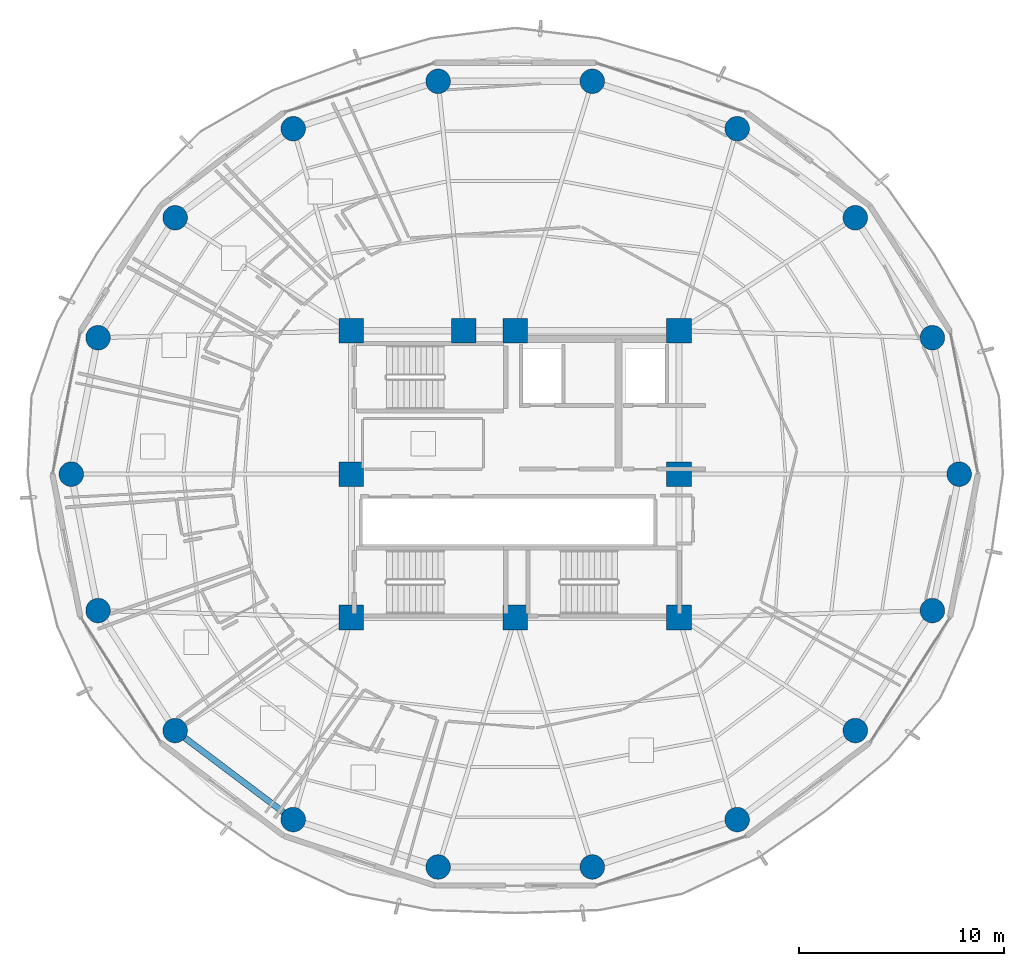
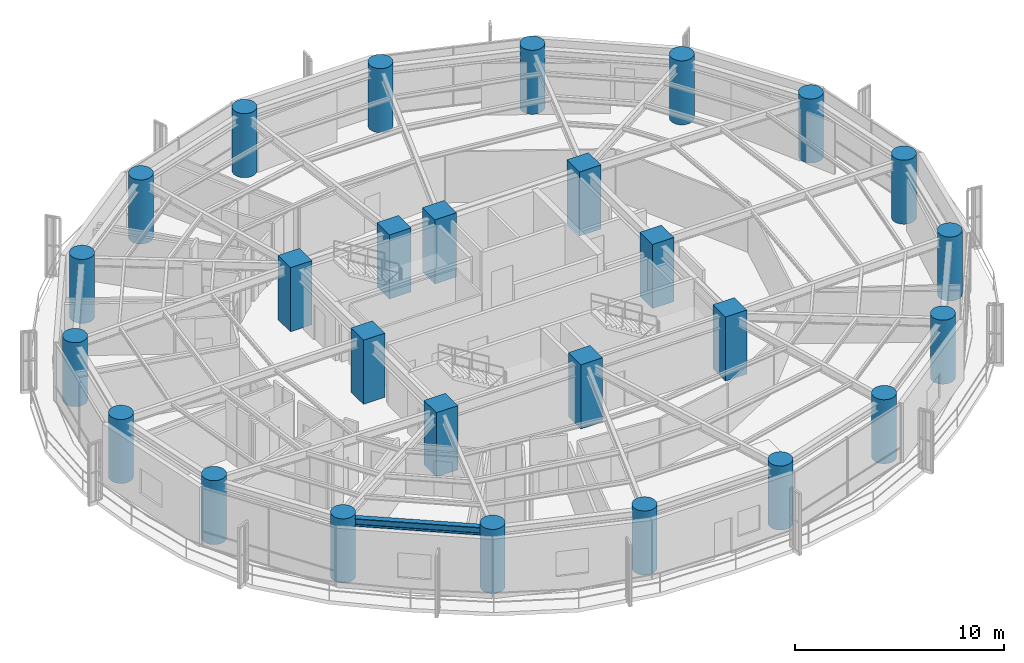
# One storey, part 1 of 27: 27 columns, 1 beam.
"""IFC4 building model written with IfcOpenShell, lengths in metres."""

from ifc_helpers import new_model, si_unit, direction, frame, origin, origin_2d, place, context, subcontext, project, spatial, rectangle, circle, i_section, extrude, material, material_profile, profile_set, type_object, element, save


model = new_model("IFC4")

# Units and contexts
model_context = context("Model", 3, precision=1e-05, world=origin(), true_north=direction((0.0, 1.0)))
body_context = subcontext(model_context, "Body", "Model", "MODEL_VIEW")
ifc_project = project(units=[si_unit("LENGTHUNIT", "METRE"), si_unit("AREAUNIT", "SQUARE_METRE"), si_unit("VOLUMEUNIT", "CUBIC_METRE"), si_unit("PLANEANGLEUNIT", "RADIAN"), si_unit("MASSUNIT", "GRAM", prefix="KILO")], contexts=[model_context])

# Site, building, storey
site_placement = place(None, origin())
site = spatial("IfcSite", under=ifc_project, at=site_placement, CompositionType="ELEMENT")
building_placement = place(site_placement, origin())
building = spatial("IfcBuilding", under=site, at=building_placement, Name="Kelanora Arch Commons", CompositionType="ELEMENT")
storey_placement = place(building_placement, frame((0.0, 0.0, 143.10009765625)))
storey = spatial("IfcBuildingStorey", under=building, at=storey_placement, Name="L36", CompositionType="ELEMENT", Elevation=143.10009765625)

# Columns
ifc_material_1 = material(Name="Concrete C50/60", Category="concrete")
ifc_material_profile_1 = material_profile(ifc_material_1, circle(Radius=0.60009765625, at=origin_2d()), Name="RCC1200")
ifc_profile_set_1 = profile_set([ifc_material_profile_1], Name="Concrete C50/60")
column_type_1 = type_object("IfcColumnType", Name="COL-PERIM-Z3", PredefinedType="COLUMN", material=ifc_profile_set_1)
for number, where, z_axis, x_axis, name in (
    (1, (95.679931640625, 58.0, 0.0), (0.0, 0.0, 1.0), (1.0, 0.0, 0.0), "Perimeter Ring Column CP-00 L36"),
    (2, (94.37255859375, 64.66259765625, 0.0), (0.0, 0.0, 1.0), (1.0, 0.0, 0.0), "Perimeter Ring Column CP-02 L36"),
    (3, (90.60791015625, 70.521484375, 0.0), (0.0, 0.0, 1.0), (1.0, 0.0, 0.0), "Perimeter Ring Column CP-04 L36"),
    (4, (84.840087890625, 74.8701171875, 0.0), (0.0, 0.0, 1.0), (1.0, 0.0, 0.0), "Perimeter Ring Column CP-06 L36"),
    (5, (77.7646484375, 77.18408203125, 0.0), (0.0, 0.0, 1.0), (1.0, 0.0, 0.0), "Perimeter Ring Column CP-08 L36"),
    (6, (70.2353515625, 77.18408203125, 0.0), (0.0, 0.0, 1.0), (1.0, 0.0, 0.0), "Perimeter Ring Column CP-10 L36"),
    (7, (63.159912109375, 74.8701171875, 0.0), (0.0, 0.0, 1.0), (1.0, 0.0, 0.0), "Perimeter Ring Column CP-12 L36"),
    (8, (57.39208984375, 70.521484375, 0.0), (0.0, 0.0, 1.0), (1.0, 0.0, 0.0), "Perimeter Ring Column CP-14 L36"),
    (9, (53.62744140625, 64.66259765625, 0.0), (0.0, 0.0, 1.0), (1.0, 0.0, 0.0), "Perimeter Ring Column CP-16 L36"),
    (10, (52.320068359375, 58.0, 0.0), (0.0, 0.0, 1.0), (1.0, 0.0, 0.0), "Perimeter Ring Column CP-18 L36"),
    (11, (53.62744140625, 51.33740234375, 0.0), (0.0, 0.0, 1.0), (1.0, 0.0, 0.0), "Perimeter Ring Column CP-20 L36"),
    (12, (57.39208984375, 45.478515625, 0.0), (0.0, 0.0, 1.0), (1.0, 0.0, 0.0), "Perimeter Ring Column CP-22 L36"),
    (13, (63.159912109375, 41.1298828125, 0.0), (0.0, 0.0, 1.0), (1.0, 0.0, 0.0), "Perimeter Ring Column CP-24 L36"),
    (14, (70.2353515625, 38.81591796875, 0.0), (0.0, 0.0, 1.0), (1.0, 0.0, 0.0), "Perimeter Ring Column CP-26 L36"),
    (15, (77.7646484375, 38.81591796875, 0.0), (0.0, 0.0, 1.0), (1.0, 0.0, 0.0), "Perimeter Ring Column CP-28 L36"),
    (16, (84.840087890625, 41.1298828125, 0.0), (0.0, 0.0, 1.0), (1.0, 0.0, 0.0), "Perimeter Ring Column CP-30 L36"),
    (17, (90.60791015625, 45.478515625, 0.0), (0.0, 0.0, 1.0), (1.0, 0.0, 0.0), "Perimeter Ring Column CP-32 L36"),
    (18, (94.37255859375, 51.33740234375, 0.0), (0.0, 0.0, 1.0), (1.0, 0.0, 0.0), "Perimeter Ring Column CP-34 L36"),
):
    element("IfcColumn", number, at=place(storey_placement, frame(where, z_axis=z_axis, x_axis=x_axis)), inside=storey, type_object=column_type_1, Name=name, PredefinedType="COLUMN", context=body_context, shape_type="SweptSolid", body=[
        extrude(circle(Radius=0.60009765625, at=origin_2d()), origin(), (0.0, 0.0, 1.0), 3.75),
    ])
ifc_material_2 = material(Name="Concrete C60/75", Category="concrete")
ifc_material_profile_2 = material_profile(ifc_material_2, rectangle(XDim=1.199951171875, YDim=1.199951171875, at=origin_2d()), Name="RC1200x1200")
ifc_profile_set_2 = profile_set([ifc_material_profile_2], Name="Concrete C60/75")
column_type_2 = type_object("IfcColumnType", Name="COL-PIL-MID", PredefinedType="PILASTER", material=ifc_profile_set_2)
for number, where, z_axis, x_axis, name in (
    (19, (66.0, 51.0, 0.0), (0.0, 0.0, 1.0), (1.0, 0.0, 0.0), "Core Pilaster Column CP1 L36"),
    (20, (74.0, 51.0, 0.0), (0.0, 0.0, 1.0), (1.0, 0.0, 0.0), "Core Pilaster Column CP2 L36"),
    (21, (82.0, 51.0, 0.0), (0.0, 0.0, 1.0), (1.0, 0.0, 0.0), "Core Pilaster Column CP3 L36"),
    (22, (82.0, 58.0, 0.0), (0.0, 0.0, 1.0), (1.0, 0.0, 0.0), "Core Pilaster Column CP4 L36"),
    (23, (82.0, 65.0, 0.0), (0.0, 0.0, 1.0), (1.0, 0.0, 0.0), "Core Pilaster Column CP5 L36"),
    (24, (74.0, 65.0, 0.0), (0.0, 0.0, 1.0), (1.0, 0.0, 0.0), "Core Pilaster Column CP6 L36"),
    (25, (71.47998046875, 65.0, 0.0), (0.0, 0.0, 1.0), (1.0, 0.0, 0.0), "Core Pilaster Column CP9 L36"),
    (26, (66.0, 65.0, 0.0), (0.0, 0.0, 1.0), (1.0, 0.0, 0.0), "Core Pilaster Column CP7 L36"),
    (27, (66.0, 58.0, 0.0), (0.0, 0.0, 1.0), (1.0, 0.0, 0.0), "Core Pilaster Column CP8 L36"),
):
    element("IfcColumn", number, at=place(storey_placement, frame(where, z_axis=z_axis, x_axis=x_axis)), inside=storey, type_object=column_type_2, Name=name, PredefinedType="PILASTER", context=body_context, shape_type="SweptSolid", body=[
        extrude(rectangle(XDim=1.199951171875, YDim=1.199951171875, at=origin_2d()), origin(), (0.0, 0.0, 1.0), 3.75),
    ])

# Beam
ifc_material_3 = material(Name="Steel S355", Category="steel")
ifc_material_profile_3 = material_profile(ifc_material_3, i_section(OverallWidth=0.300048828125, OverallDepth=0.449951171875, WebThickness=0.013916015625, FlangeThickness=0.02587890625, FilletRadius=0.027099609375, at=origin_2d()), Name="HEB450")
ifc_profile_set_3 = profile_set([ifc_material_profile_3], Name="Steel S355")
beam_type = type_object("IfcBeamType", Name="BM-SPN-Z3", PredefinedType="SPANDREL", material=ifc_profile_set_3)
beam_placement = place(storey_placement, frame((57.39208984375, 45.478515625, 3.264892578125), z_axis=(0.798484645564, -0.60201517489, 0.0), x_axis=(0.60201517489, 0.798484645564, 0.0)))
element("IfcBeam", 28, at=beam_placement, inside=storey, type_object=beam_type, Name="Perimeter Spandrel Beam BS-22 L36", PredefinedType="SPANDREL", context=body_context, shape_type="SweptSolid", body=[
    extrude(i_section(OverallWidth=0.300048828125, OverallDepth=0.449951171875, WebThickness=0.013916015625, FlangeThickness=0.02587890625, FilletRadius=0.027099609375, at=origin_2d()), origin(), (0.0, 0.0, 1.0), 7.223388671875),
])

save(model, "model.ifc")
